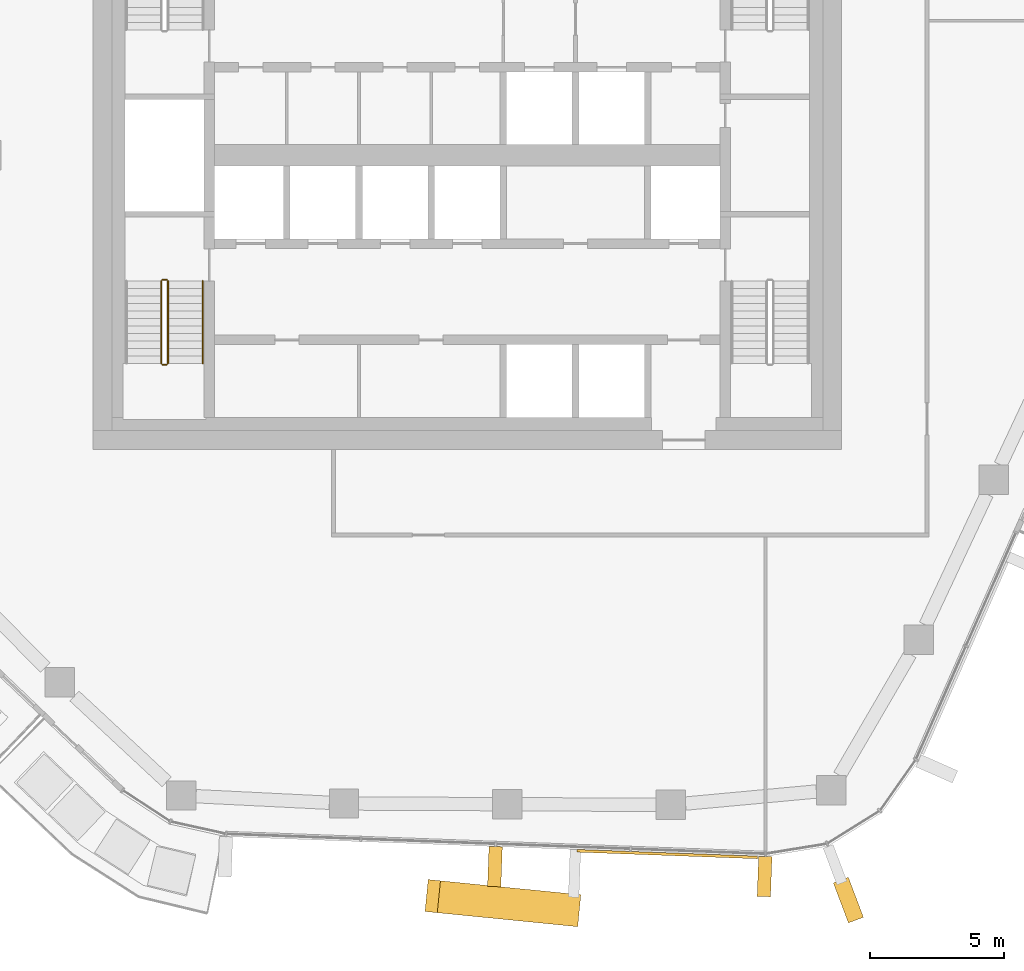
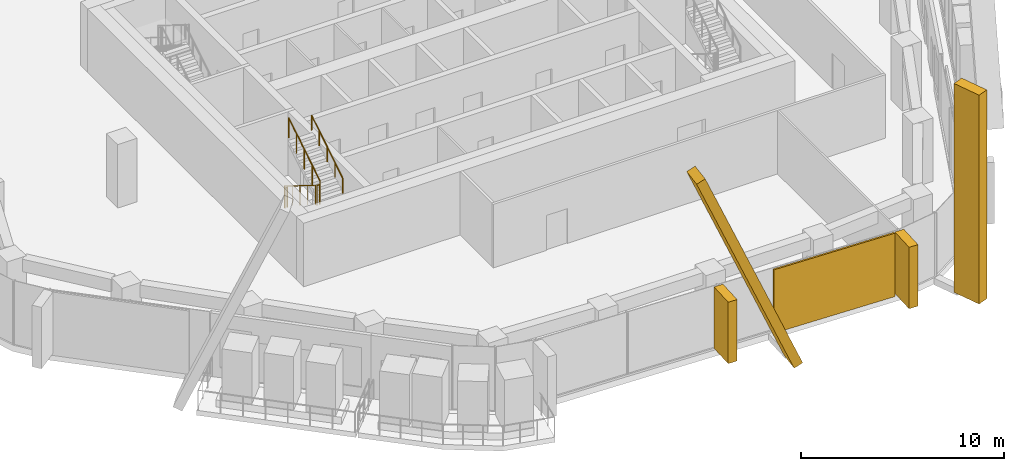
# One storey, part 15 of 20: 5 coverings, 5 railings, 2 elements without a shape of their own.
"""IFC4 building model written with IfcOpenShell, lengths in metres."""

from ifc_helpers import new_model, si_unit, direction, frame, origin, origin_2d, place, context, subcontext, project, spatial, rectangle, circle, extrude, material, layer, layer_set, material_profile, profile_set, type_object, element, aggregate, save


model = new_model("IFC4")

# Units and contexts
model_context = context("Model", 3, precision=1e-05, world=origin(), true_north=direction((0.0, 1.0)))
body_context = subcontext(model_context, "Body", "Model", "MODEL_VIEW")
ifc_project = project(units=[si_unit("LENGTHUNIT", "METRE"), si_unit("AREAUNIT", "SQUARE_METRE"), si_unit("VOLUMEUNIT", "CUBIC_METRE"), si_unit("PLANEANGLEUNIT", "RADIAN"), si_unit("MASSUNIT", "GRAM", prefix="KILO")], contexts=[model_context])

# Site, building, storey
site_placement = place(None, origin())
site = spatial("IfcSite", under=ifc_project, at=site_placement, CompositionType="ELEMENT")
building_placement = place(site_placement, origin())
building = spatial("IfcBuilding", under=site, at=building_placement, Name="Dongbaek Canopy Tower", CompositionType="ELEMENT")
storey_placement = place(building_placement, frame((0.0, 0.0, 266.39990234375)))
storey = spatial("IfcBuildingStorey", under=building, at=storey_placement, Name="L56", CompositionType="ELEMENT", Elevation=266.39990234375)

# Curtain wall, covering
ifc_material_1 = material(Name="Aluminium 6063-T6 pale anodised", Category="aluminium")
ifc_layer_1 = layer(ifc_material_1, 0.199951171875)
ifc_layer_set_1 = layer_set([ifc_layer_1], Name="CW-1 unitised tower curtain wall")
curtain_wall_type = type_object("IfcCurtainWallType", Name="CW-1 unitised tower curtain wall", PredefinedType="NOTDEFINED", material=ifc_layer_set_1)
curtain_wall_1_placement = place(storey_placement, origin())
curtain_wall_1 = element("IfcCurtainWall", 1, at=curtain_wall_1_placement, inside=storey, type_object=curtain_wall_type, Name="CW-1 curtain wall K5.1", PredefinedType="NOTDEFINED")
ifc_material_2 = material(Name="Aluminium 6063-T6 pale metal fin", Category="aluminium")
ifc_material_profile_1 = material_profile(ifc_material_2, rectangle(XDim=1.60009765625, YDim=0.60009765625, at=origin_2d()), Name="Corner fin CN1 600 x 1600 pale metal")
ifc_profile_set_1 = profile_set([ifc_material_profile_1], Name="Aluminium 6063-T6 pale metal fin")
covering_type_1 = type_object("IfcCoveringType", Name="Corner fin CN1 600 x 1600 pale metal", PredefinedType="CLADDING", material=ifc_profile_set_1)
covering_1_placement = place(storey_placement, frame((14.258544921875, -27.860107421875, -0.18994140625), z_axis=(0.0, 0.0, 1.0), x_axis=(0.35287395283, -0.935670868102, 0.0)))
covering_1 = element("IfcCovering", 2, at=covering_1_placement, type_object=covering_type_1, Name="Corner fin L56 L58 K5", PredefinedType="CLADDING", context=body_context, shape_type="SweptSolid", body=[
    extrude(rectangle(XDim=1.60009765625, YDim=0.60009765625, at=origin_2d()), origin(), (0.0, 0.0, 1.0), 12.580078125),
])
aggregate(curtain_wall_1, [covering_1])

# Curtain wall, coverings
curtain_wall_2_placement = place(storey_placement, origin())
curtain_wall_2 = element("IfcCurtainWall", 3, at=curtain_wall_2_placement, inside=storey, type_object=curtain_wall_type, Name="CW-1 curtain wall F4.1", PredefinedType="NOTDEFINED")
ifc_material_3 = material(Name="Aluminium 6063-T6 pale metal fin", Category="aluminium")
ifc_material_profile_2 = material_profile(ifc_material_3, rectangle(XDim=1.199951171875, YDim=0.5, at=origin_2d()), Name="Crease fin CF1 500 x 1200 pale metal")
ifc_profile_set_2 = profile_set([ifc_material_profile_2], Name="Aluminium 6063-T6 pale metal fin")
covering_type_2 = type_object("IfcCoveringType", Name="Crease fin CF1 500 x 1200 pale metal", PredefinedType="CLADDING", material=ifc_profile_set_2)
covering_2_placement = place(storey_placement, frame((3.962158203125, -28.236083984375, -0.18994140625), z_axis=(-0.384559090056, 0.038296859984, 0.922305620047), x_axis=(-0.099096233201, -0.995077854525, 0.0)))
covering_2 = element("IfcCovering", 4, at=covering_2_placement, type_object=covering_type_2, Name="Crease fin L56 L59 F4", PredefinedType="CLADDING", context=body_context, shape_type="SweptSolid", body=[
    extrude(rectangle(XDim=1.199951171875, YDim=0.5, at=origin_2d()), origin(), (0.0, 0.0, 1.0), 13.66162109375),
])
ifc_material_4 = material(Name="Perforated aluminium 6063-T6 pale metal screen", Category="aluminium")
ifc_layer_2 = layer(ifc_material_4, 0.10009765625)
ifc_layer_set_2 = layer_set([ifc_layer_2], Name="Facet screen FS1 100 pale metal")
covering_type_3 = type_object("IfcCoveringType", Name="Facet screen FS1 100 pale metal", PredefinedType="CLADDING", material=ifc_layer_set_2)
covering_3_placement = place(storey_placement, frame((7.48291015625, -26.140625, 0.0), z_axis=(0.0, 0.0, 1.0), x_axis=(0.999319925154, -0.036873936466, 0.0)))
covering_3 = element("IfcCovering", 5, at=covering_3_placement, type_object=covering_type_3, Name="Facet screen L56 F4", PredefinedType="CLADDING", context=body_context, shape_type="SweptSolid", body=[
    extrude(rectangle(XDim=6.7587890625, YDim=0.10009765625, at=origin_2d()), origin(), (0.0, 0.0, 1.0), 3.820068359375),
])
ifc_material_5 = material(Name="Aluminium 6063-T6 pale metal fin", Category="aluminium")
ifc_material_profile_3 = material_profile(ifc_material_5, rectangle(XDim=1.5, YDim=0.5, at=origin_2d()), Name="Fin FN1 500 x 1500 pale metal")
ifc_profile_set_3 = profile_set([ifc_material_profile_3], Name="Aluminium 6063-T6 pale metal fin")
covering_type_4 = type_object("IfcCoveringType", Name="Fin FN1 500 x 1500 pale metal", PredefinedType="CLADDING", material=ifc_profile_set_3)
covering_4_placement = place(storey_placement, frame((1.035888671875, -26.607177734375, 0.1201171875), z_axis=(0.0, 0.0, 1.0), x_axis=(-0.036873891921, -0.999319926798, 0.0)))
covering_4 = element("IfcCovering", 6, at=covering_4_placement, type_object=covering_type_4, Name="Fin F4.1.3", PredefinedType="CLADDING", context=body_context, shape_type="SweptSolid", body=[
    extrude(rectangle(XDim=1.5, YDim=0.5, at=origin_2d()), origin(), (0.0, 0.0, 1.0), 3.699951171875),
])
covering_5_placement = place(storey_placement, frame((11.123779296875, -26.9794921875, 0.1201171875), z_axis=(0.0, 0.0, 1.0), x_axis=(-0.036873891921, -0.999319926798, 0.0)))
covering_5 = element("IfcCovering", 7, at=covering_5_placement, type_object=covering_type_4, Name="Fin F4.1.5", PredefinedType="CLADDING", context=body_context, shape_type="SweptSolid", body=[
    extrude(rectangle(XDim=1.5, YDim=0.5, at=origin_2d()), origin(), (0.0, 0.0, 1.0), 3.699951171875),
])
aggregate(curtain_wall_2, [covering_4, covering_5, covering_2, covering_3])

# Railings
ifc_material_6 = material(Name="Stainless steel tube and balusters", Category="steel")
railing_type_1 = type_object("IfcRailingType", Name="Stair guard 1200", PredefinedType="GUARDRAIL", material=ifc_material_6)
railing_1_placement = place(storey_placement, frame((-11.449951171875, -4.699951171875, 0.175048828125)))
element("IfcRailing", 8, at=railing_1_placement, inside=storey, type_object=railing_type_1, Name="L56 ST-D stair guard 1", PredefinedType="GUARDRAIL", context=body_context, shape_type="SweptSolid", body=[
    extrude(circle(Radius=0.02392578125, at=origin_2d()), frame((0.0, 0.0, 1.17578125), z_axis=(0.0, -0.847998304005, 0.529998940003), x_axis=(1.0, 0.0, 0.0)), (0.0, 0.0, 1.0), 3.632080078125),
    extrude(circle(Radius=0.02099609375, at=origin_2d()), origin(), (0.0, 0.0, 1.0), 1.15185546875),
    extrude(circle(Radius=0.02099609375, at=origin_2d()), frame((0.0, -0.77001953125, 0.481201171875)), (0.0, 0.0, 1.0), 1.15185546875),
    extrude(circle(Radius=0.02099609375, at=origin_2d()), frame((0.0, -1.5400390625, 0.96240234375)), (0.0, 0.0, 1.0), 1.15185546875),
    extrude(circle(Radius=0.02099609375, at=origin_2d()), frame((0.0, -2.31005859375, 1.44384765625)), (0.0, 0.0, 1.0), 1.15185546875),
    extrude(circle(Radius=0.02099609375, at=origin_2d()), frame((0.0, -3.080078125, 1.925048828125)), (0.0, 0.0, 1.0), 1.15185546875),
])
railing_2_placement = place(storey_placement, frame((-11.39990234375, -7.830078125, 2.10009765625)))
element("IfcRailing", 9, at=railing_2_placement, inside=storey, type_object=railing_type_1, Name="L56 ST-D stair guard 2", PredefinedType="GUARDRAIL", context=body_context, shape_type="SweptSolid", body=[
    extrude(circle(Radius=0.02392578125, at=origin_2d()), frame((0.0, 0.0, 1.17578125), z_axis=(1.0, 0.0, 0.0), x_axis=(0.0, 1.0, 0.0)), (0.0, 0.0, 1.0), 0.14990234375),
    extrude(circle(Radius=0.02099609375, at=origin_2d()), origin(), (0.0, 0.0, 1.0), 1.15185546875),
    extrude(circle(Radius=0.02099609375, at=origin_2d()), frame((0.14990234375, 0.0, 0.0)), (0.0, 0.0, 1.0), 1.15185546875),
])
railing_3_placement = place(storey_placement, frame((-11.199951171875, -7.780029296875, 2.275146484375)))
element("IfcRailing", 10, at=railing_3_placement, inside=storey, type_object=railing_type_1, Name="L56 ST-D stair guard 3", PredefinedType="GUARDRAIL", context=body_context, shape_type="SweptSolid", body=[
    extrude(circle(Radius=0.02392578125, at=origin_2d()), frame((0.0, 0.0, 1.17578125), z_axis=(0.0, 0.847998304005, 0.529998940003), x_axis=(-1.0, 0.0, 0.0)), (0.0, 0.0, 1.0), 3.632080078125),
    extrude(circle(Radius=0.02099609375, at=origin_2d()), origin(), (0.0, 0.0, 1.0), 1.15185546875),
    extrude(circle(Radius=0.02099609375, at=origin_2d()), frame((0.0, 0.77001953125, 0.481201171875)), (0.0, 0.0, 1.0), 1.15185546875),
    extrude(circle(Radius=0.02099609375, at=origin_2d()), frame((0.0, 1.5400390625, 0.96240234375)), (0.0, 0.0, 1.0), 1.15185546875),
    extrude(circle(Radius=0.02099609375, at=origin_2d()), frame((0.0, 2.31005859375, 1.44384765625)), (0.0, 0.0, 1.0), 1.15185546875),
    extrude(circle(Radius=0.02099609375, at=origin_2d()), frame((0.0, 3.080078125, 1.925048828125)), (0.0, 0.0, 1.0), 1.15185546875),
])
railing_4_placement = place(storey_placement, frame((-11.39990234375, -4.64990234375, 0.0)))
element("IfcRailing", 11, at=railing_4_placement, inside=storey, type_object=railing_type_1, Name="L56 ST-D stair guard 4", PredefinedType="GUARDRAIL", context=body_context, shape_type="SweptSolid", body=[
    extrude(circle(Radius=0.02392578125, at=origin_2d()), frame((0.0, 0.0, 1.17578125), z_axis=(1.0, 0.0, 0.0), x_axis=(0.0, 1.0, 0.0)), (0.0, 0.0, 1.0), 0.14990234375),
    extrude(circle(Radius=0.02099609375, at=origin_2d()), origin(), (0.0, 0.0, 1.0), 1.15185546875),
    extrude(circle(Radius=0.02099609375, at=origin_2d()), frame((0.14990234375, 0.0, 0.0)), (0.0, 0.0, 1.0), 1.15185546875),
])
ifc_material_7 = material(Name="Stainless steel tube", Category="steel")
railing_type_2 = type_object("IfcRailingType", Name="Stair handrail 900", PredefinedType="HANDRAIL", material=ifc_material_7)
railing_5_placement = place(storey_placement, frame((-9.89990234375, -7.780029296875, 2.275146484375)))
element("IfcRailing", 12, at=railing_5_placement, inside=storey, type_object=railing_type_2, Name="L56 ST-D stair handrail 2", PredefinedType="HANDRAIL", context=body_context, shape_type="SweptSolid", body=[
    extrude(circle(Radius=0.02392578125, at=origin_2d()), frame((0.0, 0.0, 0.8759765625), z_axis=(0.0, 0.847998304005, 0.529998940003), x_axis=(-1.0, 0.0, 0.0)), (0.0, 0.0, 1.0), 3.632080078125),
    extrude(circle(Radius=0.02099609375, at=origin_2d()), origin(), (0.0, 0.0, 1.0), 0.851806640625),
    extrude(circle(Radius=0.02099609375, at=origin_2d()), frame((0.0, 0.77001953125, 0.481201171875)), (0.0, 0.0, 1.0), 0.851806640625),
    extrude(circle(Radius=0.02099609375, at=origin_2d()), frame((0.0, 1.5400390625, 0.96240234375)), (0.0, 0.0, 1.0), 0.851806640625),
    extrude(circle(Radius=0.02099609375, at=origin_2d()), frame((0.0, 2.31005859375, 1.44384765625)), (0.0, 0.0, 1.0), 0.851806640625),
    extrude(circle(Radius=0.02099609375, at=origin_2d()), frame((0.0, 3.080078125, 1.925048828125)), (0.0, 0.0, 1.0), 0.851806640625),
])

save(model, "model.ifc")
